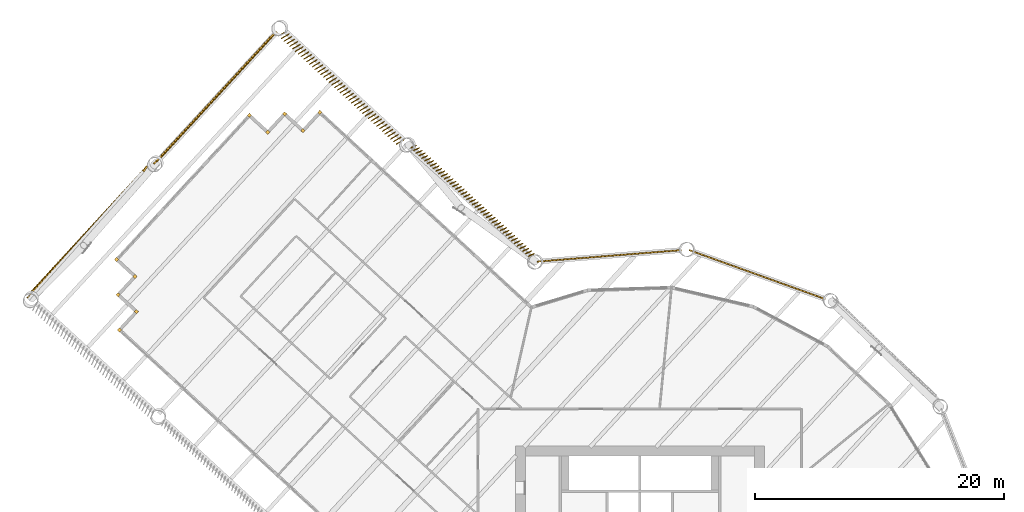
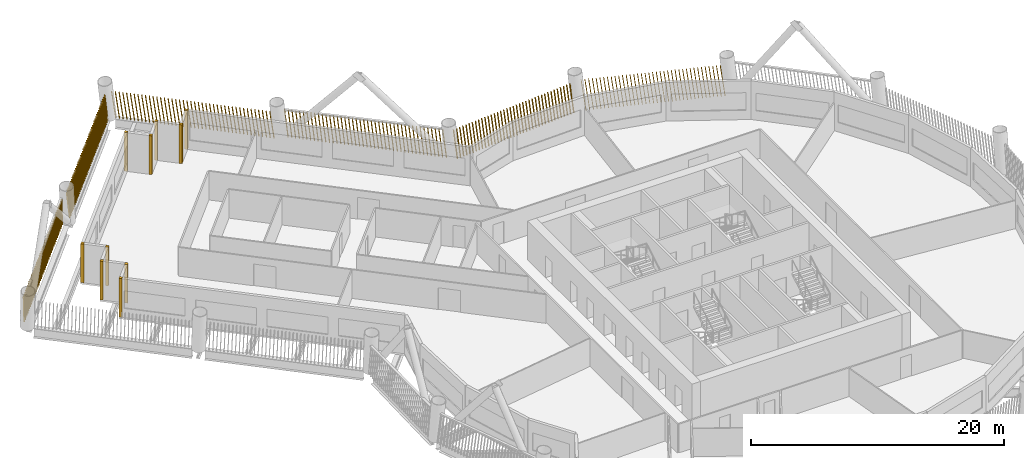
# One storey, part 22 of 24: 16 shading devices.
"""IFC4 building model written with IfcOpenShell, lengths in metres."""

from ifc_helpers import new_model, si_unit, direction, frame, frame_2d, origin, origin_2d, place, context, subcontext, project, spatial, rectangle, composite_profile, extrude, material, type_object, element, save


model = new_model("IFC4")

# Units and contexts
model_context = context("Model", 3, precision=1e-05, world=origin(), true_north=direction((0.0, 1.0)))
body_context = subcontext(model_context, "Body", "Model", "MODEL_VIEW")
ifc_project = project(units=[si_unit("LENGTHUNIT", "METRE"), si_unit("AREAUNIT", "SQUARE_METRE"), si_unit("VOLUMEUNIT", "CUBIC_METRE"), si_unit("PLANEANGLEUNIT", "RADIAN"), si_unit("MASSUNIT", "GRAM", prefix="KILO")], contexts=[model_context])

# Site, building, storey
site_placement = place(None, origin())
site = spatial("IfcSite", under=ifc_project, at=site_placement, CompositionType="ELEMENT")
building_placement = place(site_placement, origin())
building = spatial("IfcBuilding", under=site, at=building_placement, Name="Tarsis Ring Headquarters", CompositionType="ELEMENT")
storey_placement = place(building_placement, frame((0.0, 0.0, 92.800048828125)))
storey = spatial("IfcBuildingStorey", under=building, at=storey_placement, Name="L20", CompositionType="ELEMENT", Elevation=92.800048828125)

# Shading devices
ifc_material = material(Name="Terracotta baguette", Category="masonry")
shading_device_type_1 = type_object("IfcShadingDeviceType", Name="Terracotta baguette screen", PredefinedType="USERDEFINED", material=ifc_material)
shading_device_1_placement = place(storey_placement, frame((14.903564453125, 24.81591796875, 0.0), z_axis=(0.0, 0.0, 1.0), x_axis=(-0.940987520347, 0.338469886055, 0.0)))
element("IfcShadingDevice", 1, at=shading_device_1_placement, inside=storey, type_object=shading_device_type_1, Name="Baguette screen L20-13", ObjectType="Terracotta baguette screen", PredefinedType="USERDEFINED", context=body_context, shape_type="SweptSolid", body=[
    extrude(composite_profile([rectangle(XDim=0.06005859375, YDim=0.1201171875, at=frame_2d((0.030029296875, 0.0))), rectangle(XDim=0.06005859375, YDim=0.1201171875, at=frame_2d((0.33251953125, 0.0))), rectangle(XDim=0.06005859375, YDim=0.1201171875, at=frame_2d((0.634765625, 0.0))), rectangle(XDim=0.06005859375, YDim=0.1201171875, at=frame_2d((0.937255859375, 0.0))), rectangle(XDim=0.06005859375, YDim=0.1201171875, at=frame_2d((1.239501953125, 0.0))), rectangle(XDim=0.06005859375, YDim=0.1201171875, at=frame_2d((1.5419921875, 0.0))), rectangle(XDim=0.06005859375, YDim=0.1201171875, at=frame_2d((1.844482421875, 0.0))), rectangle(XDim=0.06005859375, YDim=0.1201171875, at=frame_2d((2.146728515625, 0.0))), rectangle(XDim=0.06005859375, YDim=0.1201171875, at=frame_2d((2.44921875, 0.0))), rectangle(XDim=0.06005859375, YDim=0.1201171875, at=frame_2d((2.751708984375, 0.0))), rectangle(XDim=0.06005859375, YDim=0.1201171875, at=frame_2d((3.053955078125, 0.0))), rectangle(XDim=0.06005859375, YDim=0.1201171875, at=frame_2d((3.3564453125, 0.0))), rectangle(XDim=0.06005859375, YDim=0.1201171875, at=frame_2d((3.65869140625, 0.0))), rectangle(XDim=0.06005859375, YDim=0.1201171875, at=frame_2d((3.961181640625, 0.0))), rectangle(XDim=0.06005859375, YDim=0.1201171875, at=frame_2d((4.263671875, 0.0))), rectangle(XDim=0.06005859375, YDim=0.1201171875, at=frame_2d((4.56591796875, 0.0))), rectangle(XDim=0.06005859375, YDim=0.1201171875, at=frame_2d((4.868408203125, 0.0))), rectangle(XDim=0.06005859375, YDim=0.1201171875, at=frame_2d((5.1708984375, 0.0))), rectangle(XDim=0.06005859375, YDim=0.1201171875, at=frame_2d((5.47314453125, 0.0))), rectangle(XDim=0.06005859375, YDim=0.1201171875, at=frame_2d((5.775634765625, 0.0))), rectangle(XDim=0.06005859375, YDim=0.1201171875, at=frame_2d((6.077880859375, 0.0))), rectangle(XDim=0.06005859375, YDim=0.1201171875, at=frame_2d((6.38037109375, 0.0))), rectangle(XDim=0.06005859375, YDim=0.1201171875, at=frame_2d((6.682861328125, 0.0))), rectangle(XDim=0.06005859375, YDim=0.1201171875, at=frame_2d((6.985107421875, 0.0))), rectangle(XDim=0.06005859375, YDim=0.1201171875, at=frame_2d((7.28759765625, 0.0))), rectangle(XDim=0.06005859375, YDim=0.1201171875, at=frame_2d((7.590087890625, 0.0))), rectangle(XDim=0.06005859375, YDim=0.1201171875, at=frame_2d((7.892333984375, 0.0))), rectangle(XDim=0.06005859375, YDim=0.1201171875, at=frame_2d((8.19482421875, 0.0))), rectangle(XDim=0.06005859375, YDim=0.1201171875, at=frame_2d((8.4970703125, 0.0))), rectangle(XDim=0.06005859375, YDim=0.1201171875, at=frame_2d((8.799560546875, 0.0))), rectangle(XDim=0.06005859375, YDim=0.1201171875, at=frame_2d((9.10205078125, 0.0))), rectangle(XDim=0.06005859375, YDim=0.1201171875, at=frame_2d((9.404296875, 0.0))), rectangle(XDim=0.06005859375, YDim=0.1201171875, at=frame_2d((9.706787109375, 0.0))), rectangle(XDim=0.06005859375, YDim=0.1201171875, at=frame_2d((10.00927734375, 0.0))), rectangle(XDim=0.06005859375, YDim=0.1201171875, at=frame_2d((10.3115234375, 0.0))), rectangle(XDim=0.06005859375, YDim=0.1201171875, at=frame_2d((10.614013671875, 0.0))), rectangle(XDim=0.06005859375, YDim=0.1201171875, at=frame_2d((10.916259765625, 0.0))), rectangle(XDim=0.06005859375, YDim=0.1201171875, at=frame_2d((11.21875, 0.0)))]), origin(), (0.129811478932, 0.0008827078, 0.991538300201), 2.977783203125),
])
shading_device_2_placement = place(storey_placement, frame((3.349609375, 28.752685546875, 0.0), z_axis=(0.0, 0.0, 1.0), x_axis=(-0.996831253391, -0.079479110147, 0.0)))
element("IfcShadingDevice", 2, at=shading_device_2_placement, inside=storey, type_object=shading_device_type_1, Name="Baguette screen L20-14", ObjectType="Terracotta baguette screen", PredefinedType="USERDEFINED", context=body_context, shape_type="SweptSolid", body=[
    extrude(composite_profile([rectangle(XDim=0.06005859375, YDim=0.1201171875, at=frame_2d((0.030029296875, 0.0))), rectangle(XDim=0.06005859375, YDim=0.1201171875, at=frame_2d((0.33251953125, 0.0))), rectangle(XDim=0.06005859375, YDim=0.1201171875, at=frame_2d((0.634765625, 0.0))), rectangle(XDim=0.06005859375, YDim=0.1201171875, at=frame_2d((0.937255859375, 0.0))), rectangle(XDim=0.06005859375, YDim=0.1201171875, at=frame_2d((1.239501953125, 0.0))), rectangle(XDim=0.06005859375, YDim=0.1201171875, at=frame_2d((1.5419921875, 0.0))), rectangle(XDim=0.06005859375, YDim=0.1201171875, at=frame_2d((1.844482421875, 0.0))), rectangle(XDim=0.06005859375, YDim=0.1201171875, at=frame_2d((2.146728515625, 0.0))), rectangle(XDim=0.06005859375, YDim=0.1201171875, at=frame_2d((2.44921875, 0.0))), rectangle(XDim=0.06005859375, YDim=0.1201171875, at=frame_2d((2.751708984375, 0.0))), rectangle(XDim=0.06005859375, YDim=0.1201171875, at=frame_2d((3.053955078125, 0.0))), rectangle(XDim=0.06005859375, YDim=0.1201171875, at=frame_2d((3.3564453125, 0.0))), rectangle(XDim=0.06005859375, YDim=0.1201171875, at=frame_2d((3.65869140625, 0.0))), rectangle(XDim=0.06005859375, YDim=0.1201171875, at=frame_2d((3.961181640625, 0.0))), rectangle(XDim=0.06005859375, YDim=0.1201171875, at=frame_2d((4.263671875, 0.0))), rectangle(XDim=0.06005859375, YDim=0.1201171875, at=frame_2d((4.56591796875, 0.0))), rectangle(XDim=0.06005859375, YDim=0.1201171875, at=frame_2d((4.868408203125, 0.0))), rectangle(XDim=0.06005859375, YDim=0.1201171875, at=frame_2d((5.1708984375, 0.0))), rectangle(XDim=0.06005859375, YDim=0.1201171875, at=frame_2d((5.47314453125, 0.0))), rectangle(XDim=0.06005859375, YDim=0.1201171875, at=frame_2d((5.775634765625, 0.0))), rectangle(XDim=0.06005859375, YDim=0.1201171875, at=frame_2d((6.077880859375, 0.0))), rectangle(XDim=0.06005859375, YDim=0.1201171875, at=frame_2d((6.38037109375, 0.0))), rectangle(XDim=0.06005859375, YDim=0.1201171875, at=frame_2d((6.682861328125, 0.0))), rectangle(XDim=0.06005859375, YDim=0.1201171875, at=frame_2d((6.985107421875, 0.0))), rectangle(XDim=0.06005859375, YDim=0.1201171875, at=frame_2d((7.28759765625, 0.0))), rectangle(XDim=0.06005859375, YDim=0.1201171875, at=frame_2d((7.590087890625, 0.0))), rectangle(XDim=0.06005859375, YDim=0.1201171875, at=frame_2d((7.892333984375, 0.0))), rectangle(XDim=0.06005859375, YDim=0.1201171875, at=frame_2d((8.19482421875, 0.0))), rectangle(XDim=0.06005859375, YDim=0.1201171875, at=frame_2d((8.4970703125, 0.0))), rectangle(XDim=0.06005859375, YDim=0.1201171875, at=frame_2d((8.799560546875, 0.0))), rectangle(XDim=0.06005859375, YDim=0.1201171875, at=frame_2d((9.10205078125, 0.0))), rectangle(XDim=0.06005859375, YDim=0.1201171875, at=frame_2d((9.404296875, 0.0))), rectangle(XDim=0.06005859375, YDim=0.1201171875, at=frame_2d((9.706787109375, 0.0))), rectangle(XDim=0.06005859375, YDim=0.1201171875, at=frame_2d((10.00927734375, 0.0))), rectangle(XDim=0.06005859375, YDim=0.1201171875, at=frame_2d((10.3115234375, 0.0))), rectangle(XDim=0.06005859375, YDim=0.1201171875, at=frame_2d((10.614013671875, 0.0))), rectangle(XDim=0.06005859375, YDim=0.1201171875, at=frame_2d((10.916259765625, 0.0))), rectangle(XDim=0.06005859375, YDim=0.1201171875, at=frame_2d((11.21875, 0.0)))]), origin(), (0.129809461728, 0.000883615765, 0.991538563481), 2.977783203125),
])
shading_device_3_placement = place(storey_placement, frame((-8.475830078125, 28.43359375, 0.0), z_axis=(0.0, 0.0, 1.0), x_axis=(-0.73563305391, 0.677389445002, 0.0)))
element("IfcShadingDevice", 3, at=shading_device_3_placement, inside=storey, type_object=shading_device_type_1, Name="Baguette screen L20-15", ObjectType="Terracotta baguette screen", PredefinedType="USERDEFINED", context=body_context, shape_type="SweptSolid", body=[
    extrude(composite_profile([rectangle(XDim=0.06005859375, YDim=0.1201171875, at=frame_2d((0.030029296875, 0.0))), rectangle(XDim=0.06005859375, YDim=0.1201171875, at=frame_2d((0.335693359375, 0.0))), rectangle(XDim=0.06005859375, YDim=0.1201171875, at=frame_2d((0.6416015625, 0.0))), rectangle(XDim=0.06005859375, YDim=0.1201171875, at=frame_2d((0.947265625, 0.0))), rectangle(XDim=0.06005859375, YDim=0.1201171875, at=frame_2d((1.253173828125, 0.0))), rectangle(XDim=0.06005859375, YDim=0.1201171875, at=frame_2d((1.558837890625, 0.0))), rectangle(XDim=0.06005859375, YDim=0.1201171875, at=frame_2d((1.864501953125, 0.0))), rectangle(XDim=0.06005859375, YDim=0.1201171875, at=frame_2d((2.17041015625, 0.0))), rectangle(XDim=0.06005859375, YDim=0.1201171875, at=frame_2d((2.47607421875, 0.0))), rectangle(XDim=0.06005859375, YDim=0.1201171875, at=frame_2d((2.781982421875, 0.0))), rectangle(XDim=0.06005859375, YDim=0.1201171875, at=frame_2d((3.087646484375, 0.0))), rectangle(XDim=0.06005859375, YDim=0.1201171875, at=frame_2d((3.393310546875, 0.0))), rectangle(XDim=0.06005859375, YDim=0.1201171875, at=frame_2d((3.69921875, 0.0))), rectangle(XDim=0.06005859375, YDim=0.1201171875, at=frame_2d((4.0048828125, 0.0))), rectangle(XDim=0.06005859375, YDim=0.1201171875, at=frame_2d((4.310791015625, 0.0))), rectangle(XDim=0.06005859375, YDim=0.1201171875, at=frame_2d((4.616455078125, 0.0))), rectangle(XDim=0.06005859375, YDim=0.1201171875, at=frame_2d((4.922119140625, 0.0))), rectangle(XDim=0.06005859375, YDim=0.1201171875, at=frame_2d((5.22802734375, 0.0))), rectangle(XDim=0.06005859375, YDim=0.1201171875, at=frame_2d((5.53369140625, 0.0))), rectangle(XDim=0.06005859375, YDim=0.1201171875, at=frame_2d((5.839599609375, 0.0))), rectangle(XDim=0.06005859375, YDim=0.1201171875, at=frame_2d((6.145263671875, 0.0))), rectangle(XDim=0.06005859375, YDim=0.1201171875, at=frame_2d((6.451171875, 0.0))), rectangle(XDim=0.06005859375, YDim=0.1201171875, at=frame_2d((6.7568359375, 0.0))), rectangle(XDim=0.06005859375, YDim=0.1201171875, at=frame_2d((7.0625, 0.0))), rectangle(XDim=0.06005859375, YDim=0.1201171875, at=frame_2d((7.368408203125, 0.0))), rectangle(XDim=0.06005859375, YDim=0.1201171875, at=frame_2d((7.674072265625, 0.0))), rectangle(XDim=0.06005859375, YDim=0.1201171875, at=frame_2d((7.97998046875, 0.0))), rectangle(XDim=0.06005859375, YDim=0.1201171875, at=frame_2d((8.28564453125, 0.0))), rectangle(XDim=0.06005859375, YDim=0.1201171875, at=frame_2d((8.59130859375, 0.0))), rectangle(XDim=0.06005859375, YDim=0.1201171875, at=frame_2d((8.897216796875, 0.0))), rectangle(XDim=0.06005859375, YDim=0.1201171875, at=frame_2d((9.202880859375, 0.0))), rectangle(XDim=0.06005859375, YDim=0.1201171875, at=frame_2d((9.5087890625, 0.0))), rectangle(XDim=0.06005859375, YDim=0.1201171875, at=frame_2d((9.814453125, 0.0))), rectangle(XDim=0.06005859375, YDim=0.1201171875, at=frame_2d((10.1201171875, 0.0))), rectangle(XDim=0.06005859375, YDim=0.1201171875, at=frame_2d((10.426025390625, 0.0))), rectangle(XDim=0.06005859375, YDim=0.1201171875, at=frame_2d((10.731689453125, 0.0))), rectangle(XDim=0.06005859375, YDim=0.1201171875, at=frame_2d((11.03759765625, 0.0))), rectangle(XDim=0.06005859375, YDim=0.1201171875, at=frame_2d((11.34326171875, 0.0))), rectangle(XDim=0.06005859375, YDim=0.1201171875, at=frame_2d((11.64892578125, 0.0))), rectangle(XDim=0.06005859375, YDim=0.1201171875, at=frame_2d((11.954833984375, 0.0))), rectangle(XDim=0.06005859375, YDim=0.1201171875, at=frame_2d((12.260498046875, 0.0))), rectangle(XDim=0.06005859375, YDim=0.1201171875, at=frame_2d((12.56640625, 0.0))), rectangle(XDim=0.06005859375, YDim=0.1201171875, at=frame_2d((12.8720703125, 0.0)))]), origin(), (0.06806390414, 0.145840512434, 0.986963955718), 2.99169921875),
])
shading_device_4_placement = place(storey_placement, frame((-18.95654296875, 37.574951171875, 0.0), z_axis=(0.0, 0.0, 1.0), x_axis=(-0.73563305391, 0.677389445002, 0.0)))
element("IfcShadingDevice", 4, at=shading_device_4_placement, inside=storey, type_object=shading_device_type_1, Name="Baguette screen L20-16", ObjectType="Terracotta baguette screen", PredefinedType="USERDEFINED", context=body_context, shape_type="SweptSolid", body=[
    extrude(composite_profile([rectangle(XDim=0.06005859375, YDim=0.1201171875, at=frame_2d((0.030029296875, 0.0))), rectangle(XDim=0.06005859375, YDim=0.1201171875, at=frame_2d((0.335693359375, 0.0))), rectangle(XDim=0.06005859375, YDim=0.1201171875, at=frame_2d((0.6416015625, 0.0))), rectangle(XDim=0.06005859375, YDim=0.1201171875, at=frame_2d((0.947265625, 0.0))), rectangle(XDim=0.06005859375, YDim=0.1201171875, at=frame_2d((1.253173828125, 0.0))), rectangle(XDim=0.06005859375, YDim=0.1201171875, at=frame_2d((1.558837890625, 0.0))), rectangle(XDim=0.06005859375, YDim=0.1201171875, at=frame_2d((1.864501953125, 0.0))), rectangle(XDim=0.06005859375, YDim=0.1201171875, at=frame_2d((2.17041015625, 0.0))), rectangle(XDim=0.06005859375, YDim=0.1201171875, at=frame_2d((2.47607421875, 0.0))), rectangle(XDim=0.06005859375, YDim=0.1201171875, at=frame_2d((2.781982421875, 0.0))), rectangle(XDim=0.06005859375, YDim=0.1201171875, at=frame_2d((3.087646484375, 0.0))), rectangle(XDim=0.06005859375, YDim=0.1201171875, at=frame_2d((3.393310546875, 0.0))), rectangle(XDim=0.06005859375, YDim=0.1201171875, at=frame_2d((3.69921875, 0.0))), rectangle(XDim=0.06005859375, YDim=0.1201171875, at=frame_2d((4.0048828125, 0.0))), rectangle(XDim=0.06005859375, YDim=0.1201171875, at=frame_2d((4.310791015625, 0.0))), rectangle(XDim=0.06005859375, YDim=0.1201171875, at=frame_2d((4.616455078125, 0.0))), rectangle(XDim=0.06005859375, YDim=0.1201171875, at=frame_2d((4.922119140625, 0.0))), rectangle(XDim=0.06005859375, YDim=0.1201171875, at=frame_2d((5.22802734375, 0.0))), rectangle(XDim=0.06005859375, YDim=0.1201171875, at=frame_2d((5.53369140625, 0.0))), rectangle(XDim=0.06005859375, YDim=0.1201171875, at=frame_2d((5.839599609375, 0.0))), rectangle(XDim=0.06005859375, YDim=0.1201171875, at=frame_2d((6.145263671875, 0.0))), rectangle(XDim=0.06005859375, YDim=0.1201171875, at=frame_2d((6.451171875, 0.0))), rectangle(XDim=0.06005859375, YDim=0.1201171875, at=frame_2d((6.7568359375, 0.0))), rectangle(XDim=0.06005859375, YDim=0.1201171875, at=frame_2d((7.0625, 0.0))), rectangle(XDim=0.06005859375, YDim=0.1201171875, at=frame_2d((7.368408203125, 0.0))), rectangle(XDim=0.06005859375, YDim=0.1201171875, at=frame_2d((7.674072265625, 0.0))), rectangle(XDim=0.06005859375, YDim=0.1201171875, at=frame_2d((7.97998046875, 0.0))), rectangle(XDim=0.06005859375, YDim=0.1201171875, at=frame_2d((8.28564453125, 0.0))), rectangle(XDim=0.06005859375, YDim=0.1201171875, at=frame_2d((8.59130859375, 0.0))), rectangle(XDim=0.06005859375, YDim=0.1201171875, at=frame_2d((8.897216796875, 0.0))), rectangle(XDim=0.06005859375, YDim=0.1201171875, at=frame_2d((9.202880859375, 0.0))), rectangle(XDim=0.06005859375, YDim=0.1201171875, at=frame_2d((9.5087890625, 0.0))), rectangle(XDim=0.06005859375, YDim=0.1201171875, at=frame_2d((9.814453125, 0.0))), rectangle(XDim=0.06005859375, YDim=0.1201171875, at=frame_2d((10.1201171875, 0.0))), rectangle(XDim=0.06005859375, YDim=0.1201171875, at=frame_2d((10.426025390625, 0.0))), rectangle(XDim=0.06005859375, YDim=0.1201171875, at=frame_2d((10.731689453125, 0.0))), rectangle(XDim=0.06005859375, YDim=0.1201171875, at=frame_2d((11.03759765625, 0.0))), rectangle(XDim=0.06005859375, YDim=0.1201171875, at=frame_2d((11.34326171875, 0.0))), rectangle(XDim=0.06005859375, YDim=0.1201171875, at=frame_2d((11.64892578125, 0.0))), rectangle(XDim=0.06005859375, YDim=0.1201171875, at=frame_2d((11.954833984375, 0.0))), rectangle(XDim=0.06005859375, YDim=0.1201171875, at=frame_2d((12.260498046875, 0.0))), rectangle(XDim=0.06005859375, YDim=0.1201171875, at=frame_2d((12.56640625, 0.0))), rectangle(XDim=0.06005859375, YDim=0.1201171875, at=frame_2d((12.8720703125, 0.0)))]), origin(), (0.065209018429, 0.206811068387, 0.976205391251), 3.024658203125),
])
shading_device_5_placement = place(storey_placement, frame((-29.154296875, 46.28564453125, 0.0), z_axis=(0.0, 0.0, 1.0), x_axis=(-0.677381689518, -0.735621406457, 0.0)))
element("IfcShadingDevice", 5, at=shading_device_5_placement, inside=storey, type_object=shading_device_type_1, Name="Baguette screen L20-17", ObjectType="Terracotta baguette screen", PredefinedType="USERDEFINED", context=body_context, shape_type="SweptSolid", body=[
    extrude(composite_profile([rectangle(XDim=0.06005859375, YDim=0.1201171875, at=frame_2d((0.030029296875, 0.0))), rectangle(XDim=0.06005859375, YDim=0.1201171875, at=frame_2d((0.33544921875, 0.0))), rectangle(XDim=0.06005859375, YDim=0.1201171875, at=frame_2d((0.640625, 0.0))), rectangle(XDim=0.06005859375, YDim=0.1201171875, at=frame_2d((0.946044921875, 0.0))), rectangle(XDim=0.06005859375, YDim=0.1201171875, at=frame_2d((1.25146484375, 0.0))), rectangle(XDim=0.06005859375, YDim=0.1201171875, at=frame_2d((1.556640625, 0.0))), rectangle(XDim=0.06005859375, YDim=0.1201171875, at=frame_2d((1.862060546875, 0.0))), rectangle(XDim=0.06005859375, YDim=0.1201171875, at=frame_2d((2.16748046875, 0.0))), rectangle(XDim=0.06005859375, YDim=0.1201171875, at=frame_2d((2.47265625, 0.0))), rectangle(XDim=0.06005859375, YDim=0.1201171875, at=frame_2d((2.778076171875, 0.0))), rectangle(XDim=0.06005859375, YDim=0.1201171875, at=frame_2d((3.08349609375, 0.0))), rectangle(XDim=0.06005859375, YDim=0.1201171875, at=frame_2d((3.388671875, 0.0))), rectangle(XDim=0.06005859375, YDim=0.1201171875, at=frame_2d((3.694091796875, 0.0))), rectangle(XDim=0.06005859375, YDim=0.1201171875, at=frame_2d((3.99951171875, 0.0))), rectangle(XDim=0.06005859375, YDim=0.1201171875, at=frame_2d((4.3046875, 0.0))), rectangle(XDim=0.06005859375, YDim=0.1201171875, at=frame_2d((4.610107421875, 0.0))), rectangle(XDim=0.06005859375, YDim=0.1201171875, at=frame_2d((4.91552734375, 0.0))), rectangle(XDim=0.06005859375, YDim=0.1201171875, at=frame_2d((5.220703125, 0.0))), rectangle(XDim=0.06005859375, YDim=0.1201171875, at=frame_2d((5.526123046875, 0.0))), rectangle(XDim=0.06005859375, YDim=0.1201171875, at=frame_2d((5.83154296875, 0.0))), rectangle(XDim=0.06005859375, YDim=0.1201171875, at=frame_2d((6.13671875, 0.0))), rectangle(XDim=0.06005859375, YDim=0.1201171875, at=frame_2d((6.442138671875, 0.0))), rectangle(XDim=0.06005859375, YDim=0.1201171875, at=frame_2d((6.74755859375, 0.0))), rectangle(XDim=0.06005859375, YDim=0.1201171875, at=frame_2d((7.052734375, 0.0))), rectangle(XDim=0.06005859375, YDim=0.1201171875, at=frame_2d((7.358154296875, 0.0))), rectangle(XDim=0.06005859375, YDim=0.1201171875, at=frame_2d((7.66357421875, 0.0))), rectangle(XDim=0.06005859375, YDim=0.1201171875, at=frame_2d((7.96875, 0.0))), rectangle(XDim=0.06005859375, YDim=0.1201171875, at=frame_2d((8.274169921875, 0.0))), rectangle(XDim=0.06005859375, YDim=0.1201171875, at=frame_2d((8.57958984375, 0.0))), rectangle(XDim=0.06005859375, YDim=0.1201171875, at=frame_2d((8.884765625, 0.0))), rectangle(XDim=0.06005859375, YDim=0.1201171875, at=frame_2d((9.190185546875, 0.0))), rectangle(XDim=0.06005859375, YDim=0.1201171875, at=frame_2d((9.49560546875, 0.0))), rectangle(XDim=0.06005859375, YDim=0.1201171875, at=frame_2d((9.80078125, 0.0))), rectangle(XDim=0.06005859375, YDim=0.1201171875, at=frame_2d((10.106201171875, 0.0))), rectangle(XDim=0.06005859375, YDim=0.1201171875, at=frame_2d((10.41162109375, 0.0))), rectangle(XDim=0.06005859375, YDim=0.1201171875, at=frame_2d((10.716796875, 0.0))), rectangle(XDim=0.06005859375, YDim=0.1201171875, at=frame_2d((11.022216796875, 0.0))), rectangle(XDim=0.06005859375, YDim=0.1201171875, at=frame_2d((11.32763671875, 0.0))), rectangle(XDim=0.06005859375, YDim=0.1201171875, at=frame_2d((11.6328125, 0.0))), rectangle(XDim=0.06005859375, YDim=0.1201171875, at=frame_2d((11.938232421875, 0.0))), rectangle(XDim=0.06005859375, YDim=0.1201171875, at=frame_2d((12.24365234375, 0.0))), rectangle(XDim=0.06005859375, YDim=0.1201171875, at=frame_2d((12.548828125, 0.0))), rectangle(XDim=0.06005859375, YDim=0.1201171875, at=frame_2d((12.854248046875, 0.0))), rectangle(XDim=0.06005859375, YDim=0.1201171875, at=frame_2d((13.15966796875, 0.0))), rectangle(XDim=0.06005859375, YDim=0.1201171875, at=frame_2d((13.46484375, 0.0))), rectangle(XDim=0.06005859375, YDim=0.1201171875, at=frame_2d((13.770263671875, 0.0)))]), origin(), (0.23662085142, -0.031523119011, 0.97109055481), 3.04052734375),
])
shading_device_6_placement = place(storey_placement, frame((-39.45556640625, 35.65234375, 0.0), z_axis=(0.0, 0.0, 1.0), x_axis=(-0.677381689518, -0.735621406457, 0.0)))
element("IfcShadingDevice", 6, at=shading_device_6_placement, inside=storey, type_object=shading_device_type_1, Name="Baguette screen L20-18", ObjectType="Terracotta baguette screen", PredefinedType="USERDEFINED", context=body_context, shape_type="SweptSolid", body=[
    extrude(composite_profile([rectangle(XDim=0.06005859375, YDim=0.1201171875, at=frame_2d((0.030029296875, 0.0))), rectangle(XDim=0.06005859375, YDim=0.1201171875, at=frame_2d((0.33544921875, 0.0))), rectangle(XDim=0.06005859375, YDim=0.1201171875, at=frame_2d((0.640625, 0.0))), rectangle(XDim=0.06005859375, YDim=0.1201171875, at=frame_2d((0.946044921875, 0.0))), rectangle(XDim=0.06005859375, YDim=0.1201171875, at=frame_2d((1.25146484375, 0.0))), rectangle(XDim=0.06005859375, YDim=0.1201171875, at=frame_2d((1.556640625, 0.0))), rectangle(XDim=0.06005859375, YDim=0.1201171875, at=frame_2d((1.862060546875, 0.0))), rectangle(XDim=0.06005859375, YDim=0.1201171875, at=frame_2d((2.16748046875, 0.0))), rectangle(XDim=0.06005859375, YDim=0.1201171875, at=frame_2d((2.47265625, 0.0))), rectangle(XDim=0.06005859375, YDim=0.1201171875, at=frame_2d((2.778076171875, 0.0))), rectangle(XDim=0.06005859375, YDim=0.1201171875, at=frame_2d((3.08349609375, 0.0))), rectangle(XDim=0.06005859375, YDim=0.1201171875, at=frame_2d((3.388671875, 0.0))), rectangle(XDim=0.06005859375, YDim=0.1201171875, at=frame_2d((3.694091796875, 0.0))), rectangle(XDim=0.06005859375, YDim=0.1201171875, at=frame_2d((3.99951171875, 0.0))), rectangle(XDim=0.06005859375, YDim=0.1201171875, at=frame_2d((4.3046875, 0.0))), rectangle(XDim=0.06005859375, YDim=0.1201171875, at=frame_2d((4.610107421875, 0.0))), rectangle(XDim=0.06005859375, YDim=0.1201171875, at=frame_2d((4.91552734375, 0.0))), rectangle(XDim=0.06005859375, YDim=0.1201171875, at=frame_2d((5.220703125, 0.0))), rectangle(XDim=0.06005859375, YDim=0.1201171875, at=frame_2d((5.526123046875, 0.0))), rectangle(XDim=0.06005859375, YDim=0.1201171875, at=frame_2d((5.83154296875, 0.0))), rectangle(XDim=0.06005859375, YDim=0.1201171875, at=frame_2d((6.13671875, 0.0))), rectangle(XDim=0.06005859375, YDim=0.1201171875, at=frame_2d((6.442138671875, 0.0))), rectangle(XDim=0.06005859375, YDim=0.1201171875, at=frame_2d((6.74755859375, 0.0))), rectangle(XDim=0.06005859375, YDim=0.1201171875, at=frame_2d((7.052734375, 0.0))), rectangle(XDim=0.06005859375, YDim=0.1201171875, at=frame_2d((7.358154296875, 0.0))), rectangle(XDim=0.06005859375, YDim=0.1201171875, at=frame_2d((7.66357421875, 0.0))), rectangle(XDim=0.06005859375, YDim=0.1201171875, at=frame_2d((7.96875, 0.0))), rectangle(XDim=0.06005859375, YDim=0.1201171875, at=frame_2d((8.274169921875, 0.0))), rectangle(XDim=0.06005859375, YDim=0.1201171875, at=frame_2d((8.57958984375, 0.0))), rectangle(XDim=0.06005859375, YDim=0.1201171875, at=frame_2d((8.884765625, 0.0))), rectangle(XDim=0.06005859375, YDim=0.1201171875, at=frame_2d((9.190185546875, 0.0))), rectangle(XDim=0.06005859375, YDim=0.1201171875, at=frame_2d((9.49560546875, 0.0))), rectangle(XDim=0.06005859375, YDim=0.1201171875, at=frame_2d((9.80078125, 0.0))), rectangle(XDim=0.06005859375, YDim=0.1201171875, at=frame_2d((10.106201171875, 0.0))), rectangle(XDim=0.06005859375, YDim=0.1201171875, at=frame_2d((10.41162109375, 0.0))), rectangle(XDim=0.06005859375, YDim=0.1201171875, at=frame_2d((10.716796875, 0.0))), rectangle(XDim=0.06005859375, YDim=0.1201171875, at=frame_2d((11.022216796875, 0.0))), rectangle(XDim=0.06005859375, YDim=0.1201171875, at=frame_2d((11.32763671875, 0.0))), rectangle(XDim=0.06005859375, YDim=0.1201171875, at=frame_2d((11.6328125, 0.0))), rectangle(XDim=0.06005859375, YDim=0.1201171875, at=frame_2d((11.938232421875, 0.0))), rectangle(XDim=0.06005859375, YDim=0.1201171875, at=frame_2d((12.24365234375, 0.0))), rectangle(XDim=0.06005859375, YDim=0.1201171875, at=frame_2d((12.548828125, 0.0))), rectangle(XDim=0.06005859375, YDim=0.1201171875, at=frame_2d((12.854248046875, 0.0))), rectangle(XDim=0.06005859375, YDim=0.1201171875, at=frame_2d((13.15966796875, 0.0))), rectangle(XDim=0.06005859375, YDim=0.1201171875, at=frame_2d((13.46484375, 0.0))), rectangle(XDim=0.06005859375, YDim=0.1201171875, at=frame_2d((13.770263671875, 0.0)))]), origin(), (0.237754189501, 0.034737051821, 0.970704013902), 3.041748046875),
])
shading_device_type_2 = type_object("IfcShadingDeviceType", Name="Terracotta corner baguette 250x250", PredefinedType="USERDEFINED", material=ifc_material)
for number, where, z_axis, x_axis, name in (
    (7, (-41.790771484375, 22.339599609375, 0.0), (0.0, 0.0, 1.0), (-0.677389787275, -0.735624276445, 0.0), "Corner baguette L20-01"),
    (8, (-25.702880859375, 39.810791015625, 0.0), (0.0, 0.0, 1.0), (-0.735624359204, 0.677389697402, 0.0), "Corner baguette L20-32"),
    (9, (-27.0576171875, 38.339599609375, 0.0), (0.0, 0.0, 1.0), (-0.677389517655, -0.735624524721, 0.0), "Corner baguette L20-33"),
    (10, (-28.52880859375, 39.6943359375, 0.0), (0.0, 0.0, 1.0), (-0.735624276445, 0.677389787275, 0.0), "Corner baguette L20-34"),
    (11, (-29.883544921875, 38.22314453125, 0.0), (0.0, 0.0, 1.0), (-0.677389787275, -0.735624276445, 0.0), "Corner baguette L20-35"),
    (12, (-31.354736328125, 39.577880859375, 0.0), (0.0, 0.0, 1.0), (-0.735624524721, 0.677389517655, 0.0), "Corner baguette L20-36"),
    (13, (-42.023681640625, 27.99169921875, 0.0), (0.0, 0.0, 1.0), (-0.677389710241, -0.735624347381, 0.0), "Corner baguette L20-37"),
    (14, (-40.552490234375, 26.636962890625, 0.0), (0.0, 0.0, 1.0), (0.735624276445, -0.677389787275, 0.0), "Corner baguette L20-38"),
    (15, (-41.9072265625, 25.165771484375, 0.0), (0.0, 0.0, 1.0), (-0.677389774436, -0.735624288268, 0.0), "Corner baguette L20-39"),
    (16, (-40.43603515625, 23.81103515625, 0.0), (0.0, 0.0, 1.0), (0.735624524721, -0.677389517655, 0.0), "Corner baguette L20-40"),
):
    element("IfcShadingDevice", number, at=place(storey_placement, frame(where, z_axis=z_axis, x_axis=x_axis)), inside=storey, type_object=shading_device_type_2, Name=name, ObjectType="Terracotta corner baguette", PredefinedType="USERDEFINED", context=body_context, shape_type="SweptSolid", body=[
        extrude(rectangle(XDim=0.25, YDim=0.25, at=origin_2d()), origin(), (0.0, 0.0, 1.0), 3.739990234375),
    ])

save(model, "model.ifc")
